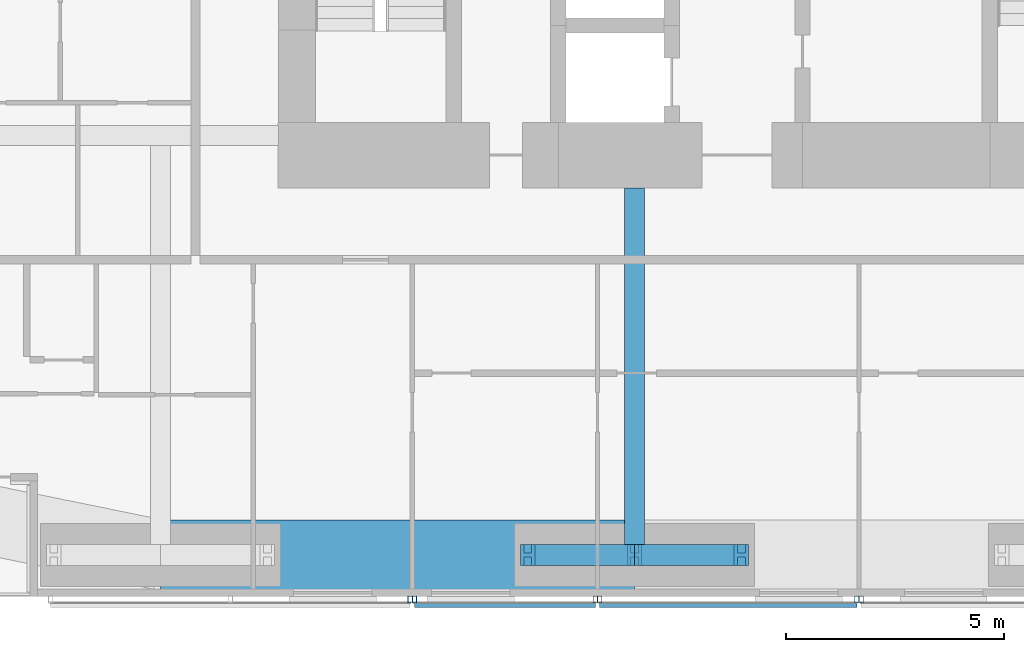
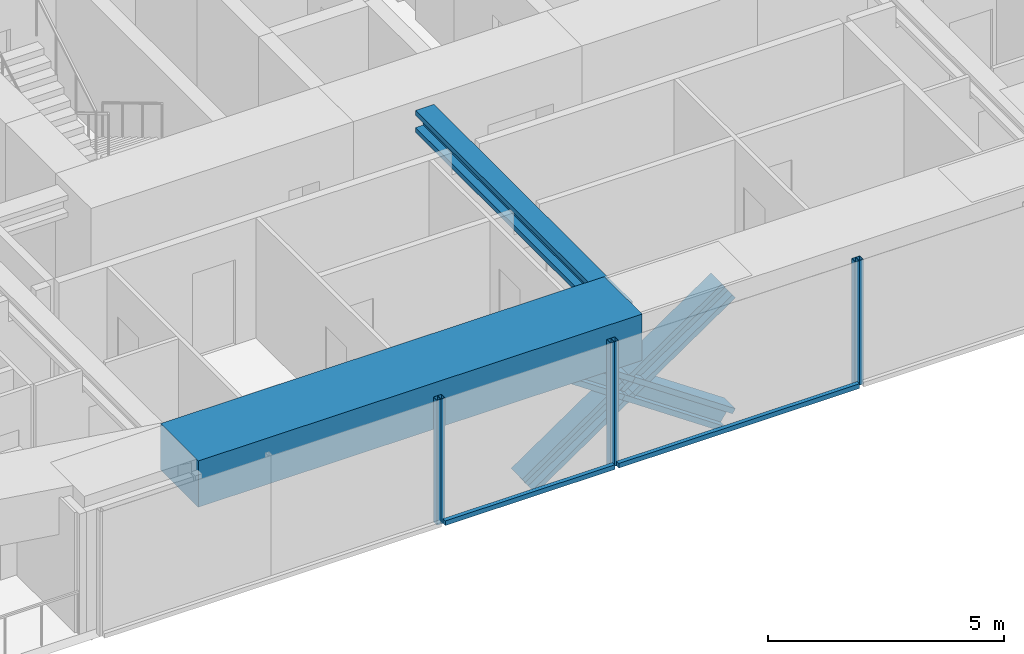
# One storey, part 4 of 23: 12 members, 2 beams, 4 elements without a shape of their own.
"""IFC4 building model written with IfcOpenShell, lengths in metres."""

from ifc_helpers import new_model, si_unit, direction, frame, origin, origin_2d, place, context, subcontext, project, spatial, rectangle, hollow_rectangle, i_section, extrude, material, material_profile, profile_set, type_object, element, aggregate, save


model = new_model("IFC4")

# Units and contexts
model_context = context("Model", 3, precision=1e-05, world=origin(), true_north=direction((0.0, 1.0)))
body_context = subcontext(model_context, "Body", "Model", "MODEL_VIEW")
ifc_project = project(units=[si_unit("LENGTHUNIT", "METRE"), si_unit("AREAUNIT", "SQUARE_METRE"), si_unit("VOLUMEUNIT", "CUBIC_METRE"), si_unit("PLANEANGLEUNIT", "RADIAN"), si_unit("MASSUNIT", "GRAM", prefix="KILO")], contexts=[model_context])

# Site, building, storey
site_placement = place(None, origin())
site = spatial("IfcSite", under=ifc_project, at=site_placement, CompositionType="ELEMENT")
building_placement = place(site_placement, origin())
building = spatial("IfcBuilding", under=site, at=building_placement, Name="Jalousie Tower", CompositionType="ELEMENT")
storey_placement = place(building_placement, frame((0.0, 0.0, 118.25)))
storey = spatial("IfcBuildingStorey", under=building, at=storey_placement, Name="L32", CompositionType="ELEMENT", Elevation=118.25)

# Beam
ifc_material_1 = material(Name="Steel ASTM A992 Grade 50", Category="steel")
ifc_material_profile_1 = material_profile(ifc_material_1, i_section(OverallWidth=0.45458984375, OverallDepth=0.569091796875, WebThickness=0.077880859375, FlangeThickness=0.124755859375, at=origin_2d()), Name="W14X730")
ifc_profile_set_1 = profile_set([ifc_material_profile_1], Name="Steel ASTM A992 Grade 50")
beam_type_1 = type_object("IfcBeamType", Name="LEAN COLLECTOR W14X730", PredefinedType="BEAM", material=ifc_profile_set_1)
beam_1_placement = place(storey_placement, frame((27.75, 0.949951171875, 2.825439453125), z_axis=(0.0, 1.0, 0.0), x_axis=(-1.0, 0.0, 0.0)))
element("IfcBeam", 1, at=beam_1_placement, inside=storey, type_object=beam_type_1, Name="Lean collector under L33", PredefinedType="BEAM", context=body_context, shape_type="SweptSolid", body=[
    extrude(i_section(OverallWidth=0.45458984375, OverallDepth=0.569091796875, WebThickness=0.077880859375, FlangeThickness=0.124755859375, at=origin_2d()), origin(), (0.0, 0.0, 1.0), 8.425048828125),
])

# Members
ifc_material_2 = material(Name="Steel ASTM A992 Grade 50", Category="steel")
ifc_material_profile_2 = material_profile(ifc_material_2, i_section(OverallWidth=0.472412109375, OverallDepth=0.5791015625, WebThickness=0.094970703125, FlangeThickness=0.1298828125, at=origin_2d()), Name="W14X808")
ifc_profile_set_2 = profile_set([ifc_material_profile_2], Name="Steel ASTM A992 Grade 50")
member_type_1 = type_object("IfcMemberType", Name="PERIMETER BRACE W14X808", PredefinedType="BRACE", material=ifc_profile_set_2)
for number, where, z_axis, x_axis, name in (
    (2, (25.300048828125, 0.949951171875, -0.60009765625), (0.825500916831, 0.0, 0.564400776321), (0.0, 1.0, 0.0), "Perimeter brace 03 L32 part 1"),
    (3, (27.75, 0.949951171875, 1.074951171875), (0.825500916831, 0.0, 0.564400776321), (0.0, 1.0, 0.0), "Perimeter brace 03 L32 part 2"),
    (4, (30.199951171875, 0.949951171875, -0.60009765625), (-0.825500916831, 0.0, 0.564400776321), (0.0, -1.0, 0.0), "Perimeter brace 03 L32 part 3"),
    (5, (27.75, 0.949951171875, 1.074951171875), (-0.825500916831, 0.0, 0.564400776321), (0.0, -1.0, 0.0), "Perimeter brace 03 L32 part 4"),
):
    element("IfcMember", number, at=place(storey_placement, frame(where, z_axis=z_axis, x_axis=x_axis)), inside=storey, type_object=member_type_1, Name=name, PredefinedType="BRACE", context=body_context, shape_type="SweptSolid", body=[
        extrude(i_section(OverallWidth=0.472412109375, OverallDepth=0.5791015625, WebThickness=0.094970703125, FlangeThickness=0.1298828125, at=origin_2d()), origin(), (0.0, 0.0, 1.0), 2.9677734375),
    ])

# Beam
ifc_material_3 = material(Name="Concrete f'c 40 MPa", Category="concrete")
ifc_material_profile_3 = material_profile(ifc_material_3, rectangle(XDim=1.60009765625, YDim=1.199951171875, at=origin_2d()), Name="RC 1600x1200")
ifc_profile_set_3 = profile_set([ifc_material_profile_3], Name="Concrete f'c 40 MPa")
beam_type_2 = type_object("IfcBeamType", Name="RC BEAM 1600x1200", PredefinedType="BEAM", material=ifc_profile_set_3)
beam_2_placement = place(storey_placement, frame((16.875, 0.949951171875, 2.75), z_axis=(1.0, 0.0, 0.0), x_axis=(0.0, 1.0, 0.0)))
element("IfcBeam", 6, at=beam_2_placement, inside=storey, type_object=beam_type_2, Name="Edge band beam 02-03 under L33", PredefinedType="BEAM", context=body_context, shape_type="SweptSolid", body=[
    extrude(rectangle(XDim=1.60009765625, YDim=1.199951171875, at=origin_2d()), origin(), (0.0, 0.0, 1.0), 10.875),
])

# Curtain wall, member
ifc_material_4 = material(Name="Perforated aluminium sheet", Category="aluminium")
curtain_wall_type = type_object("IfcCurtainWallType", Name="SOLAR SCREEN SS-1", PredefinedType="USERDEFINED", material=ifc_material_4)
curtain_wall_1_placement = place(storey_placement, origin())
curtain_wall_1 = element("IfcCurtainWall", 7, at=curtain_wall_1_placement, inside=storey, type_object=curtain_wall_type, Name="Solar screen L32", ObjectType="SOLAR SCREEN SS-1", PredefinedType="USERDEFINED")
ifc_material_5 = material(Name="Steel ASTM A500 Grade C", Category="steel")
ifc_material_profile_4 = material_profile(ifc_material_5, hollow_rectangle(XDim=0.1015625, YDim=0.15234375, WallThickness=0.00634765625, at=origin_2d()), Name="HSS6X4X1/4")
ifc_profile_set_4 = profile_set([ifc_material_profile_4], Name="Steel ASTM A500 Grade C")
member_type_2 = type_object("IfcMemberType", Name="SOLAR SCREEN SS-1 MULLION", PredefinedType="MULLION", material=ifc_profile_set_4)
member_1_placement = place(storey_placement, frame((22.60009765625, -0.0712890625, -0.1201171875), z_axis=(0.0, 0.0, 1.0), x_axis=(1.0, 0.0, 0.0)))
member_1 = element("IfcMember", 8, at=member_1_placement, type_object=member_type_2, Name="SS1 post 3", PredefinedType="MULLION", context=body_context, shape_type="SweptSolid", body=[
    extrude(hollow_rectangle(XDim=0.1015625, YDim=0.15234375, WallThickness=0.00634765625, at=origin_2d()), origin(), (0.0, 0.0, 1.0), 3.230224609375),
])
aggregate(curtain_wall_1, [member_1])

# Curtain wall, members
curtain_wall_2_placement = place(storey_placement, origin())
curtain_wall_2 = element("IfcCurtainWall", 9, at=curtain_wall_2_placement, inside=storey, type_object=curtain_wall_type, Name="Solar screen L32", ObjectType="SOLAR SCREEN SS-1", PredefinedType="USERDEFINED")
member_2_placement = place(storey_placement, frame((22.699951171875, -0.0712890625, -0.1201171875), z_axis=(0.0, 0.0, 1.0), x_axis=(1.0, 0.0, 0.0)))
member_2 = element("IfcMember", 10, at=member_2_placement, type_object=member_type_2, Name="SS1 post 1", PredefinedType="MULLION", context=body_context, shape_type="SweptSolid", body=[
    extrude(hollow_rectangle(XDim=0.1015625, YDim=0.15234375, WallThickness=0.00634765625, at=origin_2d()), origin(), (0.0, 0.0, 1.0), 3.230224609375),
])
member_3_placement = place(storey_placement, frame((26.85009765625, -0.0712890625, -0.1201171875), z_axis=(0.0, 0.0, 1.0), x_axis=(1.0, 0.0, 0.0)))
member_3 = element("IfcMember", 11, at=member_3_placement, type_object=member_type_2, Name="SS1 post 2", PredefinedType="MULLION", context=body_context, shape_type="SweptSolid", body=[
    extrude(hollow_rectangle(XDim=0.1015625, YDim=0.15234375, WallThickness=0.00634765625, at=origin_2d()), origin(), (0.0, 0.0, 1.0), 3.230224609375),
])

curtain_wall_3_placement = place(storey_placement, origin())
curtain_wall_3 = element("IfcCurtainWall", 12, at=curtain_wall_3_placement, inside=storey, type_object=curtain_wall_type, Name="Solar screen L32", ObjectType="SOLAR SCREEN SS-1", PredefinedType="USERDEFINED")
member_4_placement = place(storey_placement, frame((26.949951171875, -0.0712890625, -0.1201171875), z_axis=(0.0, 0.0, 1.0), x_axis=(1.0, 0.0, 0.0)))
member_4 = element("IfcMember", 13, at=member_4_placement, type_object=member_type_2, Name="SS1 post 1", PredefinedType="MULLION", context=body_context, shape_type="SweptSolid", body=[
    extrude(hollow_rectangle(XDim=0.1015625, YDim=0.15234375, WallThickness=0.00634765625, at=origin_2d()), origin(), (0.0, 0.0, 1.0), 3.230224609375),
])
member_5_placement = place(storey_placement, frame((32.85009765625, -0.0712890625, -0.1201171875), z_axis=(0.0, 0.0, 1.0), x_axis=(1.0, 0.0, 0.0)))
member_5 = element("IfcMember", 14, at=member_5_placement, type_object=member_type_2, Name="SS1 post 2", PredefinedType="MULLION", context=body_context, shape_type="SweptSolid", body=[
    extrude(hollow_rectangle(XDim=0.1015625, YDim=0.15234375, WallThickness=0.00634765625, at=origin_2d()), origin(), (0.0, 0.0, 1.0), 3.230224609375),
])

# Curtain wall, member
curtain_wall_4_placement = place(storey_placement, origin())
curtain_wall_4 = element("IfcCurtainWall", 15, at=curtain_wall_4_placement, inside=storey, type_object=curtain_wall_type, Name="Solar screen L32", ObjectType="SOLAR SCREEN SS-1", PredefinedType="USERDEFINED")
member_6_placement = place(storey_placement, frame((32.949951171875, -0.0712890625, -0.1201171875), z_axis=(0.0, 0.0, 1.0), x_axis=(1.0, 0.0, 0.0)))
member_6 = element("IfcMember", 16, at=member_6_placement, type_object=member_type_2, Name="SS1 post 1", PredefinedType="MULLION", context=body_context, shape_type="SweptSolid", body=[
    extrude(hollow_rectangle(XDim=0.1015625, YDim=0.15234375, WallThickness=0.00634765625, at=origin_2d()), origin(), (0.0, 0.0, 1.0), 3.230224609375),
])
aggregate(curtain_wall_4, [member_6])

# Member
ifc_material_6 = material(Name="Extruded aluminium screen rail", Category="aluminium")
ifc_material_profile_5 = material_profile(ifc_material_6, rectangle(XDim=0.1015625, YDim=0.1201171875, at=origin_2d()), Name="RAIL 102x120")
ifc_profile_set_5 = profile_set([ifc_material_profile_5], Name="Extruded aluminium screen rail")
member_type_3 = type_object("IfcMemberType", Name="SOLAR SCREEN SS-1 TRANSOM", PredefinedType="USERDEFINED", material=ifc_profile_set_5)
member_7_placement = place(storey_placement, frame((22.699951171875, -0.1982421875, -0.06005859375), z_axis=(1.0, 0.0, 0.0), x_axis=(0.0, 1.0, 0.0)))
member_7 = element("IfcMember", 17, at=member_7_placement, type_object=member_type_3, Name="SS1 rail", ObjectType="TRANSOM", PredefinedType="USERDEFINED", context=body_context, shape_type="SweptSolid", body=[
    extrude(rectangle(XDim=0.1015625, YDim=0.1201171875, at=origin_2d()), origin(), (0.0, 0.0, 1.0), 4.150146484375),
])

aggregate(curtain_wall_2, [member_2, member_3, member_7])

member_8_placement = place(storey_placement, frame((26.949951171875, -0.1982421875, -0.06005859375), z_axis=(1.0, 0.0, 0.0), x_axis=(0.0, 1.0, 0.0)))
member_8 = element("IfcMember", 18, at=member_8_placement, type_object=member_type_3, Name="SS1 rail", ObjectType="TRANSOM", PredefinedType="USERDEFINED", context=body_context, shape_type="SweptSolid", body=[
    extrude(rectangle(XDim=0.1015625, YDim=0.1201171875, at=origin_2d()), origin(), (0.0, 0.0, 1.0), 5.900146484375),
])

aggregate(curtain_wall_3, [member_4, member_5, member_8])

save(model, "model.ifc")
